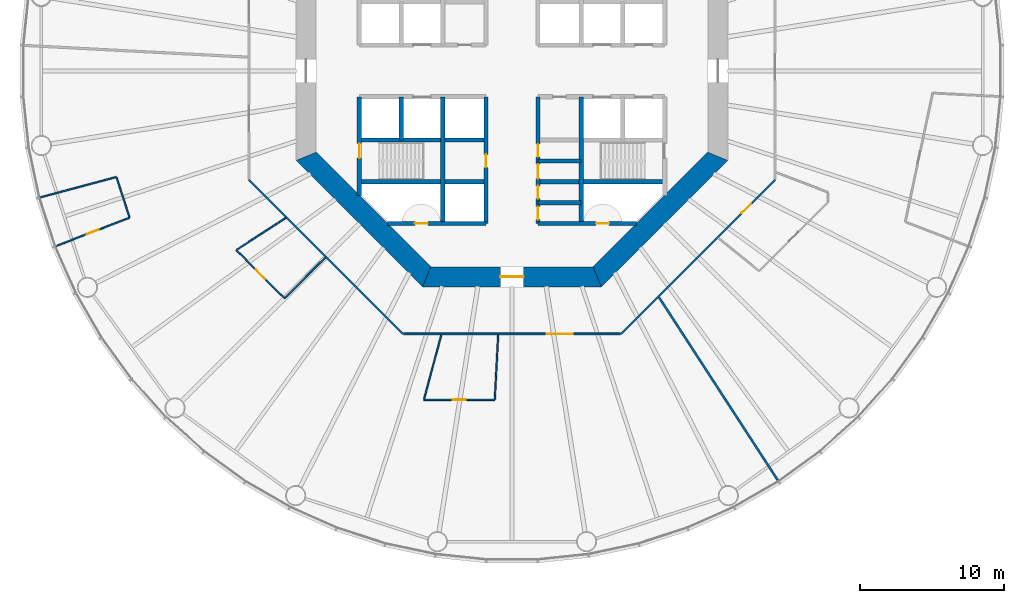
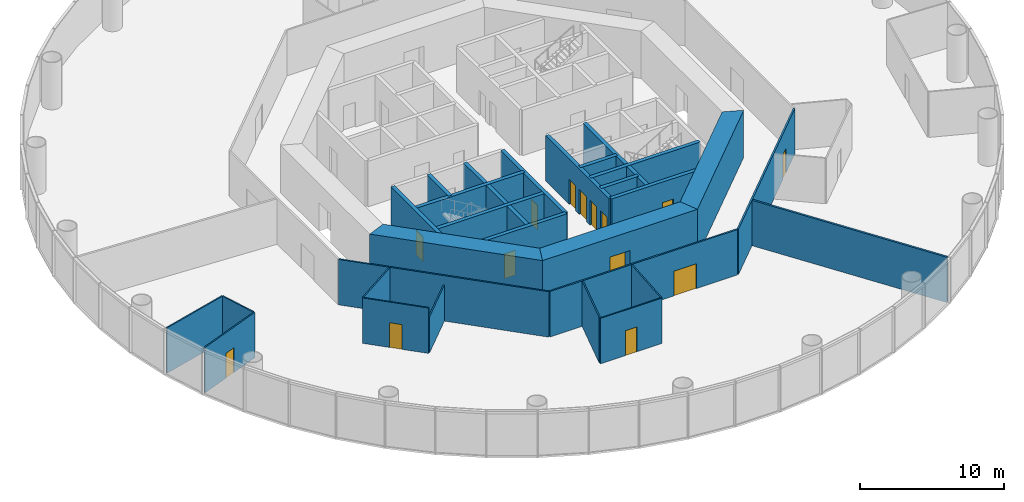
# One storey, part 3 of 13: 29 walls, 14 doors, 14 openings.
"""IFC4 building model written with IfcOpenShell, lengths in metres."""

from ifc_helpers import new_model, si_unit, direction, frame, frame_2d, origin, place, context, subcontext, project, spatial, polyline, rectangle, outline, extrude, material, layer, layer_set, type_object, element, fill, save


model = new_model("IFC4")

# Units and contexts
model_context = context("Model", 3, precision=1e-05, world=origin(), true_north=direction((0.0, 1.0)))
body_context = subcontext(model_context, "Body", "Model", "MODEL_VIEW")
ifc_project = project(units=[si_unit("LENGTHUNIT", "METRE"), si_unit("AREAUNIT", "SQUARE_METRE"), si_unit("VOLUMEUNIT", "CUBIC_METRE"), si_unit("PLANEANGLEUNIT", "RADIAN"), si_unit("MASSUNIT", "GRAM", prefix="KILO")], contexts=[model_context])

# Site, building, storey
site_placement = place(None, origin())
site = spatial("IfcSite", under=ifc_project, at=site_placement, CompositionType="ELEMENT")
building_placement = place(site_placement, origin())
building = spatial("IfcBuilding", under=site, at=building_placement, Name="Entoto Ring Tower", CompositionType="ELEMENT")
storey_placement = place(building_placement, frame((0.0, 0.0, 46.0)))
storey = spatial("IfcBuildingStorey", under=building, at=storey_placement, Name="L09", CompositionType="ELEMENT", Elevation=46.0)

# Wall
ifc_material_1 = material(Name="Concrete C40/50", Category="concrete")
ifc_layer_1 = layer(ifc_material_1, 0.300048828125)
ifc_layer_set_1 = layer_set([ifc_layer_1], Name="Concrete C40/50")
wall_type_1 = type_object("IfcWallType", Name="Core enclosure wall 300 mm reinforced concrete", PredefinedType="SOLIDWALL", material=ifc_layer_set_1)
wall_1_placement = place(storey_placement, frame((94.800048828125, 69.39990234375, 0.0), z_axis=(0.0, 0.0, 1.0), x_axis=(0.0, 1.0, 0.0)))
element("IfcWall", 1, at=wall_1_placement, inside=storey, type_object=wall_type_1, Name="wall-L09-005", PredefinedType="SOLIDWALL", context=body_context, shape_type="SweptSolid", body=[
    extrude(rectangle(XDim=8.800048828125, YDim=0.300048828125, at=frame_2d((4.39990234375, 0.0))), origin(), (0.0, 0.0, 1.0), 3.85009765625),
])

# Wall, openings, doors
wall_2_placement = place(storey_placement, frame((91.800048828125, 69.39990234375, 0.0), z_axis=(0.0, 0.0, 1.0), x_axis=(0.0, 1.0, 0.0)))
wall_2 = element("IfcWall", 2, at=wall_2_placement, inside=storey, type_object=wall_type_1, Name="wall-L09-007", PredefinedType="SOLIDWALL", context=body_context, shape_type="SweptSolid", body=[
    extrude(rectangle(XDim=8.800048828125, YDim=0.300048828125, at=frame_2d((4.39990234375, 0.0))), origin(), (0.0, 0.0, 1.0), 3.85009765625),
])
opening_1_placement = place(wall_2_placement, frame((3.125, 0.0, 0.0)))
opening_1 = element("IfcOpeningElement", 3, at=opening_1_placement, cuts=wall_2, Name="Opening K-13", PredefinedType="OPENING", context=body_context, shape_type="SweptSolid", body=[
    extrude(rectangle(XDim=1.0, YDim=2.10009765625, at=frame_2d((0.5, 1.050048828125))), frame((0.0, 0.16015625, 0.0), z_axis=(0.0, -1.0, 0.0), x_axis=(1.0, 0.0, 0.0)), (0.0, 0.0, 1.0), 0.320068359375),
])
opening_2_placement = place(wall_2_placement, frame((4.625, 0.0, 0.0)))
opening_2 = element("IfcOpeningElement", 4, at=opening_2_placement, cuts=wall_2, Name="Opening K-14", PredefinedType="OPENING", context=body_context, shape_type="SweptSolid", body=[
    extrude(rectangle(XDim=0.89990234375, YDim=2.10009765625, at=frame_2d((0.449951171875, 1.050048828125))), frame((0.0, 0.16015625, 0.0), z_axis=(0.0, -1.0, 0.0), x_axis=(1.0, 0.0, 0.0)), (0.0, 0.0, 1.0), 0.320068359375),
])
opening_3_placement = place(wall_2_placement, frame((0.27490234375, 0.0, 0.0)))
opening_3 = element("IfcOpeningElement", 5, at=opening_3_placement, cuts=wall_2, Name="Opening K-15", PredefinedType="OPENING", context=body_context, shape_type="SweptSolid", body=[
    extrude(rectangle(XDim=0.89990234375, YDim=2.10009765625, at=frame_2d((0.449951171875, 1.050048828125))), frame((0.0, 0.16015625, 0.0), z_axis=(0.0, -1.0, 0.0), x_axis=(1.0, 0.0, 0.0)), (0.0, 0.0, 1.0), 0.320068359375),
])
opening_4_placement = place(wall_2_placement, frame((1.72509765625, 0.0, 0.0)))
opening_4 = element("IfcOpeningElement", 6, at=opening_4_placement, cuts=wall_2, Name="Opening K-16", PredefinedType="OPENING", context=body_context, shape_type="SweptSolid", body=[
    extrude(rectangle(XDim=0.89990234375, YDim=2.10009765625, at=frame_2d((0.449951171875, 1.050048828125))), frame((0.0, 0.16015625, 0.0), z_axis=(0.0, -1.0, 0.0), x_axis=(1.0, 0.0, 0.0)), (0.0, 0.0, 1.0), 0.320068359375),
])
ifc_material_2 = material(Name="Steel door leaf, fire rated", Category="steel")
ifc_layer_2 = layer(ifc_material_2, 0.050048828125)
ifc_layer_set_2 = layer_set([ifc_layer_2], Name="Steel door leaf, fire rated")
door_type_1 = type_object("IfcDoorType", Name="Accessible door 1000 x 2100 single leaf", OperationType="NOTDEFINED", PredefinedType="DOOR", material=ifc_layer_set_2)
door_1_placement = place(opening_1_placement, frame((1.0, 0.0, 0.0), z_axis=(0.0, 0.0, 1.0), x_axis=(-1.0, 0.0, 0.0)))
door_1 = element("IfcDoor", 7, at=door_1_placement, inside=storey, type_object=door_type_1, Name="Door K-13", OperationType="SINGLE_SWING_LEFT", OverallHeight=2.10009765625, OverallWidth=1.0, PredefinedType="DOOR", context=body_context, shape_type="SweptSolid", body=[
    extrude(rectangle(XDim=1.0, YDim=2.10009765625, at=frame_2d((0.5, 1.050048828125))), frame((0.0, 0.02490234375, 0.0), z_axis=(0.0, -1.0, 0.0), x_axis=(1.0, 0.0, 0.0)), (0.0, 0.0, 1.0), 0.050048828125),
])
fill(opening_1, door_1)
ifc_material_3 = material(Name="Steel door leaf, fire rated", Category="steel")
ifc_layer_3 = layer(ifc_material_3, 0.050048828125)
ifc_layer_set_3 = layer_set([ifc_layer_3], Name="Steel door leaf, fire rated")
door_type_2 = type_object("IfcDoorType", Name="Core door 900 x 2100 single leaf", OperationType="NOTDEFINED", PredefinedType="DOOR", material=ifc_layer_set_3)
door_2_placement = place(opening_2_placement, frame((0.89990234375, 0.0, 0.0), z_axis=(0.0, 0.0, 1.0), x_axis=(-1.0, 0.0, 0.0)))
door_2 = element("IfcDoor", 8, at=door_2_placement, inside=storey, type_object=door_type_2, Name="Door K-14", OperationType="SINGLE_SWING_LEFT", OverallHeight=2.10009765625, OverallWidth=0.89990234375, PredefinedType="DOOR", context=body_context, shape_type="SweptSolid", body=[
    extrude(rectangle(XDim=0.89990234375, YDim=2.10009765625, at=frame_2d((0.449951171875, 1.050048828125))), frame((0.0, 0.02490234375, 0.0), z_axis=(0.0, -1.0, 0.0), x_axis=(1.0, 0.0, 0.0)), (0.0, 0.0, 1.0), 0.050048828125),
])
fill(opening_2, door_2)
door_3_placement = place(opening_3_placement, frame((0.89990234375, 0.0, 0.0), z_axis=(0.0, 0.0, 1.0), x_axis=(-1.0, 0.0, 0.0)))
door_3 = element("IfcDoor", 9, at=door_3_placement, inside=storey, type_object=door_type_2, Name="Door K-15", OperationType="SINGLE_SWING_LEFT", OverallHeight=2.10009765625, OverallWidth=0.89990234375, PredefinedType="DOOR", context=body_context, shape_type="SweptSolid", body=[
    extrude(rectangle(XDim=0.89990234375, YDim=2.10009765625, at=frame_2d((0.449951171875, 1.050048828125))), frame((0.0, 0.02490234375, 0.0), z_axis=(0.0, -1.0, 0.0), x_axis=(1.0, 0.0, 0.0)), (0.0, 0.0, 1.0), 0.050048828125),
])
fill(opening_3, door_3)
door_4_placement = place(opening_4_placement, frame((0.89990234375, 0.0, 0.0), z_axis=(0.0, 0.0, 1.0), x_axis=(-1.0, 0.0, 0.0)))
door_4 = element("IfcDoor", 10, at=door_4_placement, inside=storey, type_object=door_type_2, Name="Door K-16", OperationType="SINGLE_SWING_LEFT", OverallHeight=2.10009765625, OverallWidth=0.89990234375, PredefinedType="DOOR", context=body_context, shape_type="SweptSolid", body=[
    extrude(rectangle(XDim=0.89990234375, YDim=2.10009765625, at=frame_2d((0.449951171875, 1.050048828125))), frame((0.0, 0.02490234375, 0.0), z_axis=(0.0, -1.0, 0.0), x_axis=(1.0, 0.0, 0.0)), (0.0, 0.0, 1.0), 0.050048828125),
])
fill(opening_4, door_4)

# Wall, opening, door
wall_3_placement = place(storey_placement, frame((88.199951171875, 69.39990234375, 0.0), z_axis=(0.0, 0.0, 1.0), x_axis=(0.0, 1.0, 0.0)))
wall_3 = element("IfcWall", 11, at=wall_3_placement, inside=storey, type_object=wall_type_1, Name="wall-L09-009", PredefinedType="SOLIDWALL", context=body_context, shape_type="SweptSolid", body=[
    extrude(rectangle(XDim=8.800048828125, YDim=0.300048828125, at=frame_2d((4.39990234375, 0.0))), origin(), (0.0, 0.0, 1.0), 3.85009765625),
])
opening_5_placement = place(wall_3_placement, frame((3.89990234375, 0.0, 0.0)))
opening_5 = element("IfcOpeningElement", 12, at=opening_5_placement, cuts=wall_3, Name="Opening K-57", PredefinedType="OPENING", context=body_context, shape_type="SweptSolid", body=[
    extrude(rectangle(XDim=0.89990234375, YDim=2.10009765625, at=frame_2d((0.449951171875, 1.050048828125))), frame((0.0, 0.16015625, 0.0), z_axis=(0.0, -1.0, 0.0), x_axis=(1.0, 0.0, 0.0)), (0.0, 0.0, 1.0), 0.320068359375),
])
door_5_placement = place(opening_5_placement, origin())
door_5 = element("IfcDoor", 13, at=door_5_placement, inside=storey, type_object=door_type_2, Name="Door K-57", OperationType="SINGLE_SWING_RIGHT", OverallHeight=2.10009765625, OverallWidth=0.89990234375, PredefinedType="DOOR", context=body_context, shape_type="SweptSolid", body=[
    extrude(rectangle(XDim=0.89990234375, YDim=2.10009765625, at=frame_2d((0.449951171875, 1.050048828125))), frame((0.0, 0.02490234375, 0.0), z_axis=(0.0, -1.0, 0.0), x_axis=(1.0, 0.0, 0.0)), (0.0, 0.0, 1.0), 0.050048828125),
])
fill(opening_5, door_5)

# Walls
wall_4_placement = place(storey_placement, frame((85.199951171875, 69.39990234375, 0.0), z_axis=(0.0, 0.0, 1.0), x_axis=(0.0, 1.0, 0.0)))
element("IfcWall", 14, at=wall_4_placement, inside=storey, type_object=wall_type_1, Name="wall-L09-011", PredefinedType="SOLIDWALL", context=body_context, shape_type="SweptSolid", body=[
    extrude(rectangle(XDim=8.800048828125, YDim=0.300048828125, at=frame_2d((4.39990234375, 0.0))), origin(), (0.0, 0.0, 1.0), 3.85009765625),
])
wall_5_placement = place(storey_placement, frame((82.300048828125, 75.199951171875, 0.0), z_axis=(0.0, 0.0, 1.0), x_axis=(0.0, 1.0, 0.0)))
element("IfcWall", 15, at=wall_5_placement, inside=storey, type_object=wall_type_1, Name="wall-L09-013", PredefinedType="SOLIDWALL", context=body_context, shape_type="SweptSolid", body=[
    extrude(rectangle(XDim=3.0, YDim=0.300048828125, at=frame_2d((1.5, 0.0))), origin(), (0.0, 0.0, 1.0), 3.85009765625),
])

# Wall, opening, door
wall_6_placement = place(storey_placement, frame((79.39990234375, 71.36669921875, 0.0), z_axis=(0.0, 0.0, 1.0), x_axis=(0.0, 1.0, 0.0)))
wall_6 = element("IfcWall", 16, at=wall_6_placement, inside=storey, type_object=wall_type_1, Name="wall-L09-015", PredefinedType="SOLIDWALL", context=body_context, shape_type="SweptSolid", body=[
    extrude(rectangle(XDim=6.833251953125, YDim=0.300048828125, at=frame_2d((3.41650390625, 0.0))), origin(), (0.0, 0.0, 1.0), 3.85009765625),
])
opening_6_placement = place(wall_6_placement, frame((2.583251953125, 0.0, 0.0)))
opening_6 = element("IfcOpeningElement", 17, at=opening_6_placement, cuts=wall_6, Name="Opening K-67", PredefinedType="OPENING", context=body_context, shape_type="SweptSolid", body=[
    extrude(rectangle(XDim=1.0, YDim=2.10009765625, at=frame_2d((0.5, 1.050048828125))), frame((0.0, 0.16015625, 0.0), z_axis=(0.0, -1.0, 0.0), x_axis=(1.0, 0.0, 0.0)), (0.0, 0.0, 1.0), 0.320068359375),
])
ifc_material_4 = material(Name="Steel door leaf, fire rated", Category="steel")
ifc_layer_4 = layer(ifc_material_4, 0.050048828125)
ifc_layer_set_4 = layer_set([ifc_layer_4], Name="Steel door leaf, fire rated")
door_type_3 = type_object("IfcDoorType", Name="Fire door FD60 1000 x 2100 single leaf", OperationType="NOTDEFINED", PredefinedType="DOOR", material=ifc_layer_set_4)
door_6_placement = place(opening_6_placement, frame((1.0, 0.0, 0.0), z_axis=(0.0, 0.0, 1.0), x_axis=(-1.0, 0.0, 0.0)))
door_6 = element("IfcDoor", 18, at=door_6_placement, inside=storey, type_object=door_type_3, Name="Door K-67", OperationType="SINGLE_SWING_LEFT", OverallHeight=2.10009765625, OverallWidth=1.0, PredefinedType="DOOR", context=body_context, shape_type="SweptSolid", body=[
    extrude(rectangle(XDim=1.0, YDim=2.10009765625, at=frame_2d((0.5, 1.050048828125))), frame((0.0, 0.02490234375, 0.0), z_axis=(0.0, -1.0, 0.0), x_axis=(1.0, 0.0, 0.0)), (0.0, 0.0, 1.0), 0.050048828125),
])
fill(opening_6, door_6)

wall_7_placement = place(storey_placement, frame((81.36669921875, 69.39990234375, 0.0), z_axis=(0.0, 0.0, 1.0), x_axis=(1.0, 0.0, 0.0)))
wall_7 = element("IfcWall", 19, at=wall_7_placement, inside=storey, type_object=wall_type_1, Name="wall-L09-017", PredefinedType="SOLIDWALL", context=body_context, shape_type="SweptSolid", body=[
    extrude(rectangle(XDim=6.833251953125, YDim=0.300048828125, at=frame_2d((3.41650390625, 0.0))), origin(), (0.0, 0.0, 1.0), 3.85009765625),
])
opening_7_placement = place(wall_7_placement, frame((1.88330078125, 0.0, 0.0)))
opening_7 = element("IfcOpeningElement", 20, at=opening_7_placement, cuts=wall_7, Name="Opening K-74", PredefinedType="OPENING", context=body_context, shape_type="SweptSolid", body=[
    extrude(rectangle(XDim=0.89990234375, YDim=2.10009765625, at=frame_2d((0.449951171875, 1.050048828125))), frame((0.0, 0.16015625, 0.0), z_axis=(0.0, -1.0, 0.0), x_axis=(1.0, 0.0, 0.0)), (0.0, 0.0, 1.0), 0.320068359375),
])
ifc_material_5 = material(Name="Steel door leaf, fire rated", Category="steel")
ifc_layer_5 = layer(ifc_material_5, 0.050048828125)
ifc_layer_set_5 = layer_set([ifc_layer_5], Name="Steel door leaf, fire rated")
door_type_4 = type_object("IfcDoorType", Name="Riser door FD60 900 x 2100 single leaf", OperationType="NOTDEFINED", PredefinedType="DOOR", material=ifc_layer_set_5)
door_7_placement = place(opening_7_placement, origin())
door_7 = element("IfcDoor", 21, at=door_7_placement, inside=storey, type_object=door_type_4, Name="Door K-74", OperationType="SINGLE_SWING_RIGHT", OverallHeight=2.10009765625, OverallWidth=0.89990234375, PredefinedType="DOOR", context=body_context, shape_type="SweptSolid", body=[
    extrude(rectangle(XDim=0.89990234375, YDim=2.10009765625, at=frame_2d((0.449951171875, 1.050048828125))), frame((0.0, 0.02490234375, 0.0), z_axis=(0.0, -1.0, 0.0), x_axis=(1.0, 0.0, 0.0)), (0.0, 0.0, 1.0), 0.050048828125),
])
fill(opening_7, door_7)

wall_8_placement = place(storey_placement, frame((91.800048828125, 69.39990234375, 0.0), z_axis=(0.0, 0.0, 1.0), x_axis=(1.0, 0.0, 0.0)))
wall_8 = element("IfcWall", 22, at=wall_8_placement, inside=storey, type_object=wall_type_1, Name="wall-L09-018", PredefinedType="SOLIDWALL", context=body_context, shape_type="SweptSolid", body=[
    extrude(rectangle(XDim=6.833251953125, YDim=0.300048828125, at=frame_2d((3.41650390625, 0.0))), origin(), (0.0, 0.0, 1.0), 3.85009765625),
])
opening_8_placement = place(wall_8_placement, frame((4.050048828125, 0.0, 0.0)))
opening_8 = element("IfcOpeningElement", 23, at=opening_8_placement, cuts=wall_8, Name="Opening K-75", PredefinedType="OPENING", context=body_context, shape_type="SweptSolid", body=[
    extrude(rectangle(XDim=0.89990234375, YDim=2.10009765625, at=frame_2d((0.449951171875, 1.050048828125))), frame((0.0, 0.16015625, 0.0), z_axis=(0.0, -1.0, 0.0), x_axis=(1.0, 0.0, 0.0)), (0.0, 0.0, 1.0), 0.320068359375),
])
door_8_placement = place(opening_8_placement, origin())
door_8 = element("IfcDoor", 24, at=door_8_placement, inside=storey, type_object=door_type_4, Name="Door K-75", OperationType="SINGLE_SWING_LEFT", OverallHeight=2.10009765625, OverallWidth=0.89990234375, PredefinedType="DOOR", context=body_context, shape_type="SweptSolid", body=[
    extrude(rectangle(XDim=0.89990234375, YDim=2.10009765625, at=frame_2d((0.449951171875, 1.050048828125))), frame((0.0, 0.02490234375, 0.0), z_axis=(0.0, -1.0, 0.0), x_axis=(1.0, 0.0, 0.0)), (0.0, 0.0, 1.0), 0.050048828125),
])
fill(opening_8, door_8)

# Walls
wall_9_placement = place(storey_placement, frame((91.800048828125, 70.85009765625, 0.0), z_axis=(0.0, 0.0, 1.0), x_axis=(1.0, 0.0, 0.0)))
element("IfcWall", 25, at=wall_9_placement, inside=storey, type_object=wall_type_1, Name="wall-L09-019", PredefinedType="SOLIDWALL", context=body_context, shape_type="SweptSolid", body=[
    extrude(rectangle(XDim=3.0, YDim=0.300048828125, at=frame_2d((1.5, 0.0))), origin(), (0.0, 0.0, 1.0), 3.85009765625),
])
for number, where, z_axis, x_axis, name in (
    (26, (79.39990234375, 72.300048828125, 0.0), (0.0, 0.0, 1.0), (1.0, 0.0, 0.0), "wall-L09-020"),
    (27, (91.800048828125, 72.300048828125, 0.0), (0.0, 0.0, 1.0), (1.0, 0.0, 0.0), "wall-L09-021"),
):
    element("IfcWall", number, at=place(storey_placement, frame(where, z_axis=z_axis, x_axis=x_axis)), inside=storey, type_object=wall_type_1, Name=name, PredefinedType="SOLIDWALL", context=body_context, shape_type="SweptSolid", body=[
        extrude(rectangle(XDim=8.800048828125, YDim=0.300048828125, at=frame_2d((4.39990234375, 0.0))), origin(), (0.0, 0.0, 1.0), 3.85009765625),
    ])
wall_10_placement = place(storey_placement, frame((91.800048828125, 73.75, 0.0), z_axis=(0.0, 0.0, 1.0), x_axis=(1.0, 0.0, 0.0)))
element("IfcWall", 28, at=wall_10_placement, inside=storey, type_object=wall_type_1, Name="wall-L09-022", PredefinedType="SOLIDWALL", context=body_context, shape_type="SweptSolid", body=[
    extrude(rectangle(XDim=3.0, YDim=0.300048828125, at=frame_2d((1.5, 0.0))), origin(), (0.0, 0.0, 1.0), 3.85009765625),
])
wall_11_placement = place(storey_placement, frame((79.39990234375, 75.199951171875, 0.0), z_axis=(0.0, 0.0, 1.0), x_axis=(1.0, 0.0, 0.0)))
element("IfcWall", 29, at=wall_11_placement, inside=storey, type_object=wall_type_1, Name="wall-L09-023", PredefinedType="SOLIDWALL", context=body_context, shape_type="SweptSolid", body=[
    extrude(rectangle(XDim=8.800048828125, YDim=0.300048828125, at=frame_2d((4.39990234375, 0.0))), origin(), (0.0, 0.0, 1.0), 3.85009765625),
])
ifc_material_6 = material(Name="Concrete C60/75", Category="concrete")
ifc_layer_6 = layer(ifc_material_6, 1.39990234375)
ifc_layer_set_6 = layer_set([ifc_layer_6], Name="Concrete C60/75")
wall_type_2 = type_object("IfcWallType", Name="Core shear wall 1400 mm reinforced concrete C60/75", PredefinedType="SHEAR", material=ifc_layer_set_6)
wall_12_placement = place(storey_placement, frame((75.699951171875, 74.07666015625, 0.0), z_axis=(0.0, 0.0, 1.0), x_axis=(0.707106781187, -0.707106781187, 0.0)))
element("IfcWall", 30, at=wall_12_placement, inside=storey, type_object=wall_type_2, Name="wall-L09-core-5", PredefinedType="SHEAR", context=body_context, shape_type="SweptSolid", body=[
    extrude(outline(polyline([(-0.2900390625, -0.699951171875), (12.136474609375, -0.699951171875), (11.556396484375, 0.699951171875), (0.2900390625, 0.699951171875), (-0.2900390625, -0.699951171875)])), origin(), (0.0, 0.0, 1.0), 4.0),
])

# Wall, opening, door
wall_13_placement = place(storey_placement, frame((84.07666015625, 65.699951171875, 0.0), z_axis=(0.0, 0.0, 1.0), x_axis=(1.0, 0.0, 0.0)))
wall_13 = element("IfcWall", 31, at=wall_13_placement, inside=storey, type_object=wall_type_2, Name="wall-L09-core-6", PredefinedType="SHEAR", context=body_context, shape_type="SweptSolid", body=[
    extrude(outline(polyline([(-0.2900390625, -0.699951171875), (12.13671875, -0.699951171875), (11.556640625, 0.699951171875), (0.2900390625, 0.699951171875), (-0.2900390625, -0.699951171875)])), origin(), (0.0, 0.0, 1.0), 4.0),
])
opening_9_placement = place(wall_13_placement, frame((5.123291015625, 0.0, 0.0)))
opening_9 = element("IfcOpeningElement", 32, at=opening_9_placement, cuts=wall_13, Name="Opening K-04", PredefinedType="OPENING", context=body_context, shape_type="SweptSolid", body=[
    extrude(rectangle(XDim=1.60009765625, YDim=2.39990234375, at=frame_2d((0.800048828125, 1.199951171875))), frame((0.0, 0.7099609375, 0.0), z_axis=(0.0, -1.0, 0.0), x_axis=(1.0, 0.0, 0.0)), (0.0, 0.0, 1.0), 1.419921875),
])
ifc_material_7 = material(Name="Steel door leaf, fire rated", Category="steel")
ifc_layer_7 = layer(ifc_material_7, 0.050048828125)
ifc_layer_set_7 = layer_set([ifc_layer_7], Name="Steel door leaf, fire rated")
door_type_5 = type_object("IfcDoorType", Name="Entrance door FD60 1600 x 2400 double leaf", OperationType="DOUBLE_DOOR_SINGLE_SWING", PredefinedType="DOOR", material=ifc_layer_set_7)
door_9_placement = place(opening_9_placement, origin())
door_9 = element("IfcDoor", 33, at=door_9_placement, inside=storey, type_object=door_type_5, Name="Entrance door K-04", OperationType="DOUBLE_DOOR_SINGLE_SWING", OverallHeight=2.39990234375, OverallWidth=1.60009765625, PredefinedType="DOOR", context=body_context, shape_type="SweptSolid", body=[
    extrude(rectangle(XDim=1.60009765625, YDim=2.39990234375, at=frame_2d((0.800048828125, 1.199951171875))), frame((0.0, 0.02490234375, 0.0), z_axis=(0.0, -1.0, 0.0), x_axis=(1.0, 0.0, 0.0)), (0.0, 0.0, 1.0), 0.050048828125),
])
fill(opening_9, door_9)

# Walls
wall_14_placement = place(storey_placement, frame((95.92333984375, 65.699951171875, 0.0), z_axis=(0.0, 0.0, 1.0), x_axis=(0.707106781187, 0.707106781187, 0.0)))
element("IfcWall", 34, at=wall_14_placement, inside=storey, type_object=wall_type_2, Name="wall-L09-core-7", PredefinedType="SHEAR", context=body_context, shape_type="SweptSolid", body=[
    extrude(outline(polyline([(-0.2900390625, -0.699951171875), (12.136474609375, -0.699951171875), (11.556396484375, 0.699951171875), (0.2900390625, 0.699951171875), (-0.2900390625, -0.699951171875)])), origin(), (0.0, 0.0, 1.0), 4.0),
])
ifc_material_8 = material(Name="Fire-resisting plasterboard on steel studs", Category="steel")
ifc_layer_8 = layer(ifc_material_8, 0.125)
ifc_layer_set_8 = layer_set([ifc_layer_8], Name="Fire-resisting plasterboard on steel studs")
wall_type_3 = type_object("IfcWallType", Name="Corridor wall 125 mm one-hour plasterboard on steel studs", PredefinedType="PARTITIONING", material=ifc_layer_set_8)
wall_15_placement = place(storey_placement, frame((82.435302734375, 61.737548828125, 0.0), z_axis=(0.0, 0.0, 1.0), x_axis=(-0.707106781187, 0.707106781187, 0.0)))
element("IfcWall", 35, at=wall_15_placement, inside=storey, type_object=wall_type_3, Name="partition-L09-002", PredefinedType="PARTITIONING", context=body_context, shape_type="SweptSolid", body=[
    extrude(rectangle(XDim=15.12890625, YDim=0.125, at=frame_2d((7.564453125, 0.0))), origin(), (0.0, 0.0, 1.0), 3.85009765625),
])

# Wall, opening, door
wall_16_placement = place(storey_placement, frame((97.564697265625, 61.737548828125, 0.0), z_axis=(0.0, 0.0, 1.0), x_axis=(0.707106781187, 0.707106781187, 0.0)))
wall_16 = element("IfcWall", 36, at=wall_16_placement, inside=storey, type_object=wall_type_3, Name="partition-L09-003", PredefinedType="PARTITIONING", context=body_context, shape_type="SweptSolid", body=[
    extrude(rectangle(XDim=15.12890625, YDim=0.125, at=frame_2d((7.564453125, 0.0))), origin(), (0.0, 0.0, 1.0), 3.85009765625),
])
opening_10_placement = place(wall_16_placement, frame((11.8564453125, 0.0, 0.0)))
opening_10 = element("IfcOpeningElement", 37, at=opening_10_placement, cuts=wall_16, Name="Opening A04-D09", PredefinedType="OPENING", context=body_context, shape_type="SweptSolid", body=[
    extrude(rectangle(XDim=0.89990234375, YDim=2.10009765625, at=frame_2d((0.449951171875, 1.050048828125))), frame((0.0, 0.072509765625, 0.0), z_axis=(0.0, -1.0, 0.0), x_axis=(1.0, 0.0, 0.0)), (0.0, 0.0, 1.0), 0.14501953125),
])
ifc_material_9 = material(Name="Fire-resisting timber door set", Category="wood")
door_type_6 = type_object("IfcDoorType", Name="Door 1000 x 2100 single leaf FD30S fire door", OperationType="NOTDEFINED", PredefinedType="DOOR", material=ifc_material_9)
door_10_placement = place(opening_10_placement, frame((0.89990234375, 0.0, 0.0), z_axis=(0.0, 0.0, 1.0), x_axis=(-1.0, 0.0, 0.0)))
door_10 = element("IfcDoor", 38, at=door_10_placement, inside=storey, type_object=door_type_6, Name="Door A04-D09", OperationType="SINGLE_SWING_RIGHT", OverallHeight=2.10009765625, OverallWidth=0.89990234375, PredefinedType="DOOR", context=body_context, shape_type="SweptSolid", body=[
    extrude(rectangle(XDim=0.89990234375, YDim=2.10009765625, at=frame_2d((0.449951171875, 1.050048828125))), frame((0.0, 0.02490234375, 0.0), z_axis=(0.0, -1.0, 0.0), x_axis=(1.0, 0.0, 0.0)), (0.0, 0.0, 1.0), 0.050048828125),
])
fill(opening_10, door_10)

wall_17_placement = place(storey_placement, frame((82.4794921875, 61.737548828125, 0.0), z_axis=(0.0, 0.0, 1.0), x_axis=(1.0, 0.0, 0.0)))
wall_17 = element("IfcWall", 39, at=wall_17_placement, inside=storey, type_object=wall_type_3, Name="partition-L09-006", PredefinedType="PARTITIONING", context=body_context, shape_type="SweptSolid", body=[
    extrude(rectangle(XDim=15.041015625, YDim=0.125, at=frame_2d((7.5205078125, 0.0))), origin(), (0.0, 0.0, 1.0), 3.85009765625),
])
opening_11_placement = place(wall_17_placement, frame((9.92431640625, 0.0, 0.0)))
opening_11 = element("IfcOpeningElement", 40, at=opening_11_placement, cuts=wall_17, Name="Opening A04-D01", PredefinedType="OPENING", context=body_context, shape_type="SweptSolid", body=[
    extrude(rectangle(XDim=1.800048828125, YDim=2.10009765625, at=frame_2d((0.89990234375, 1.050048828125))), frame((0.0, 0.072509765625, 0.0), z_axis=(0.0, -1.0, 0.0), x_axis=(1.0, 0.0, 0.0)), (0.0, 0.0, 1.0), 0.14501953125),
])
ifc_material_10 = material(Name="Fire-resisting timber door set", Category="wood")
door_type_7 = type_object("IfcDoorType", Name="Door 1800 x 2100 double leaf FD30S fire door", OperationType="DOUBLE_DOOR_SINGLE_SWING", PredefinedType="DOOR", material=ifc_material_10)
door_11_placement = place(opening_11_placement, origin())
door_11 = element("IfcDoor", 41, at=door_11_placement, inside=storey, type_object=door_type_7, Name="Door A04-D01", OperationType="DOUBLE_DOOR_SINGLE_SWING", OverallHeight=2.10009765625, OverallWidth=1.800048828125, PredefinedType="DOOR", context=body_context, shape_type="SweptSolid", body=[
    extrude(rectangle(XDim=1.800048828125, YDim=2.10009765625, at=frame_2d((0.89990234375, 1.050048828125))), frame((0.0, 0.02490234375, 0.0), z_axis=(0.0, -1.0, 0.0), x_axis=(1.0, 0.0, 0.0)), (0.0, 0.0, 1.0), 0.050048828125),
])
fill(opening_11, door_11)

ifc_material_11 = material(Name="Plasterboard on steel studs", Category="steel")
ifc_layer_9 = layer(ifc_material_11, 0.10009765625)
ifc_layer_set_9 = layer_set([ifc_layer_9], Name="Plasterboard on steel studs")
wall_type_4 = type_object("IfcWallType", Name="Partition 100 mm plasterboard on steel studs", PredefinedType="PARTITIONING", material=ifc_layer_set_9)
wall_18_placement = place(storey_placement, frame((58.314208984375, 67.8369140625, 0.0), z_axis=(0.0, 0.0, 1.0), x_axis=(0.933578069125, 0.358374090649, 0.0)))
wall_18 = element("IfcWall", 42, at=wall_18_placement, inside=storey, type_object=wall_type_4, Name="partition-L09-014", PredefinedType="PARTITIONING", context=body_context, shape_type="SweptSolid", body=[
    extrude(rectangle(XDim=5.490234375, YDim=0.10009765625, at=frame_2d((2.7451171875, 0.0))), origin(), (0.0, 0.0, 1.0), 3.85009765625),
])
opening_12_placement = place(wall_18_placement, frame((2.294921875, 0.0, 0.0)))
opening_12 = element("IfcOpeningElement", 43, at=opening_12_placement, cuts=wall_18, Name="Opening A04-D05", PredefinedType="OPENING", context=body_context, shape_type="SweptSolid", body=[
    extrude(rectangle(XDim=0.89990234375, YDim=2.10009765625, at=frame_2d((0.449951171875, 1.050048828125))), frame((0.0, 0.06005859375, 0.0), z_axis=(0.0, -1.0, 0.0), x_axis=(1.0, 0.0, 0.0)), (0.0, 0.0, 1.0), 0.1201171875),
])
ifc_material_12 = material(Name="Veneered timber door leaf in timber frame", Category="wood")
door_type_8 = type_object("IfcDoorType", Name="Door 900 x 2100 single leaf timber veneer", OperationType="NOTDEFINED", PredefinedType="DOOR", material=ifc_material_12)
door_12_placement = place(opening_12_placement, origin())
door_12 = element("IfcDoor", 44, at=door_12_placement, inside=storey, type_object=door_type_8, Name="Door A04-D05", OperationType="SINGLE_SWING_LEFT", OverallHeight=2.10009765625, OverallWidth=0.89990234375, PredefinedType="DOOR", context=body_context, shape_type="SweptSolid", body=[
    extrude(rectangle(XDim=0.89990234375, YDim=2.10009765625, at=frame_2d((0.449951171875, 1.050048828125))), frame((0.0, 0.02490234375, 0.0), z_axis=(0.0, -1.0, 0.0), x_axis=(1.0, 0.0, 0.0)), (0.0, 0.0, 1.0), 0.050048828125),
])
fill(opening_12, door_12)

# Wall
wall_19_placement = place(storey_placement, frame((57.216552734375, 71.2158203125, 0.0), z_axis=(0.0, 0.0, 1.0), x_axis=(0.965924230401, 0.258825000964, 0.0)))
element("IfcWall", 45, at=wall_19_placement, inside=storey, type_object=wall_type_4, Name="partition-L09-015", PredefinedType="PARTITIONING", context=body_context, shape_type="SweptSolid", body=[
    extrude(rectangle(XDim=5.48974609375, YDim=0.10009765625, at=frame_2d((2.744873046875, 0.0))), origin(), (0.0, 0.0, 1.0), 3.85009765625),
])

# Wall, opening, door
wall_20_placement = place(storey_placement, frame((83.87939453125, 57.157470703125, 0.0), z_axis=(0.0, 0.0, 1.0), x_axis=(1.0, 0.0, 0.0)))
wall_20 = element("IfcWall", 46, at=wall_20_placement, inside=storey, type_object=wall_type_4, Name="partition-L09-016", PredefinedType="PARTITIONING", context=body_context, shape_type="SweptSolid", body=[
    extrude(rectangle(XDim=4.923583984375, YDim=0.10009765625, at=frame_2d((2.4619140625, 0.0))), origin(), (0.0, 0.0, 1.0), 3.85009765625),
])
opening_13_placement = place(wall_20_placement, frame((2.01171875, 0.0, 0.0)))
opening_13 = element("IfcOpeningElement", 47, at=opening_13_placement, cuts=wall_20, Name="Opening A04-D04", PredefinedType="OPENING", context=body_context, shape_type="SweptSolid", body=[
    extrude(rectangle(XDim=0.89990234375, YDim=2.10009765625, at=frame_2d((0.449951171875, 1.050048828125))), frame((0.0, 0.06005859375, 0.0), z_axis=(0.0, -1.0, 0.0), x_axis=(1.0, 0.0, 0.0)), (0.0, 0.0, 1.0), 0.1201171875),
])
door_13_placement = place(opening_13_placement, origin())
door_13 = element("IfcDoor", 48, at=door_13_placement, inside=storey, type_object=door_type_8, Name="Door A04-D04", OperationType="SINGLE_SWING_LEFT", OverallHeight=2.10009765625, OverallWidth=0.89990234375, PredefinedType="DOOR", context=body_context, shape_type="SweptSolid", body=[
    extrude(rectangle(XDim=0.89990234375, YDim=2.10009765625, at=frame_2d((0.449951171875, 1.050048828125))), frame((0.0, 0.02490234375, 0.0), z_axis=(0.0, -1.0, 0.0), x_axis=(1.0, 0.0, 0.0)), (0.0, 0.0, 1.0), 0.050048828125),
])
fill(opening_13, door_13)

wall_21_placement = place(storey_placement, frame((74.201416015625, 64.201416015625, 0.0), z_axis=(0.0, 0.0, 1.0), x_axis=(-0.707081076158, 0.707132485281, 0.0)))
wall_21 = element("IfcWall", 49, at=wall_21_placement, inside=storey, type_object=wall_type_4, Name="partition-L09-018", PredefinedType="PARTITIONING", context=body_context, shape_type="SweptSolid", body=[
    extrude(rectangle(XDim=4.7490234375, YDim=0.10009765625, at=frame_2d((2.37451171875, 0.0))), origin(), (0.0, 0.0, 1.0), 3.85009765625),
])
opening_14_placement = place(wall_21_placement, frame((1.924560546875, 0.0, 0.0)))
opening_14 = element("IfcOpeningElement", 50, at=opening_14_placement, cuts=wall_21, Name="Opening A04-D03", PredefinedType="OPENING", context=body_context, shape_type="SweptSolid", body=[
    extrude(rectangle(XDim=0.89990234375, YDim=2.10009765625, at=frame_2d((0.449951171875, 1.050048828125))), frame((0.0, 0.06005859375, 0.0), z_axis=(0.0, -1.0, 0.0), x_axis=(1.0, 0.0, 0.0)), (0.0, 0.0, 1.0), 0.1201171875),
])
door_14_placement = place(opening_14_placement, frame((0.89990234375, 0.0, 0.0), z_axis=(0.0, 0.0, 1.0), x_axis=(-1.0, 0.0, 0.0)))
door_14 = element("IfcDoor", 51, at=door_14_placement, inside=storey, type_object=door_type_8, Name="Door A04-D03", OperationType="SINGLE_SWING_LEFT", OverallHeight=2.10009765625, OverallWidth=0.89990234375, PredefinedType="DOOR", context=body_context, shape_type="SweptSolid", body=[
    extrude(rectangle(XDim=0.89990234375, YDim=2.10009765625, at=frame_2d((0.449951171875, 1.050048828125))), frame((0.0, 0.02490234375, 0.0), z_axis=(0.0, -1.0, 0.0), x_axis=(1.0, 0.0, 0.0)), (0.0, 0.0, 1.0), 0.050048828125),
])
fill(opening_14, door_14)

# Walls
wall_22_placement = place(storey_placement, frame((83.896240234375, 57.22021484375, 0.0), z_axis=(0.0, 0.0, 1.0), x_axis=(0.25881569625, 0.965926723605, 0.0)))
element("IfcWall", 52, at=wall_22_placement, inside=storey, type_object=wall_type_4, Name="partition-L09-019", PredefinedType="PARTITIONING", context=body_context, shape_type="SweptSolid", body=[
    extrude(rectangle(XDim=4.5986328125, YDim=0.10009765625, at=frame_2d((2.29931640625, 0.0))), origin(), (0.0, 0.0, 1.0), 3.85009765625),
])
wall_23_placement = place(storey_placement, frame((88.805419921875, 57.20751953125, 0.0), z_axis=(0.0, 0.0, 1.0), x_axis=(0.05236680735, 0.998627917439, 0.0)))
element("IfcWall", 53, at=wall_23_placement, inside=storey, type_object=wall_type_4, Name="partition-L09-024", PredefinedType="PARTITIONING", context=body_context, shape_type="SweptSolid", body=[
    extrude(rectangle(XDim=4.470947265625, YDim=0.10009765625, at=frame_2d((2.2353515625, 0.0))), origin(), (0.0, 0.0, 1.0), 3.85009765625),
])
wall_24_placement = place(storey_placement, frame((70.89501953125, 67.593017578125, 0.0), z_axis=(0.0, 0.0, 1.0), x_axis=(0.838673001431, 0.544635287757, 0.0)))
element("IfcWall", 54, at=wall_24_placement, inside=storey, type_object=wall_type_4, Name="partition-L09-027", PredefinedType="PARTITIONING", context=body_context, shape_type="SweptSolid", body=[
    extrude(rectangle(XDim=4.03515625, YDim=0.10009765625, at=frame_2d((2.017578125, 0.0))), origin(), (0.0, 0.0, 1.0), 3.85009765625),
])
wall_25_placement = place(storey_placement, frame((63.42431640625, 69.851806640625, 0.0), z_axis=(0.0, 0.0, 1.0), x_axis=(-0.309017022444, 0.951056507175, 0.0)))
element("IfcWall", 55, at=wall_25_placement, inside=storey, type_object=wall_type_4, Name="partition-L09-032", PredefinedType="PARTITIONING", context=body_context, shape_type="SweptSolid", body=[
    extrude(rectangle(XDim=2.878173828125, YDim=0.10009765625, at=frame_2d((1.43896484375, 0.0))), origin(), (0.0, 0.0, 1.0), 3.85009765625),
])
ifc_material_13 = material(Name="Plasterboard on steel studs", Category="steel")
ifc_layer_10 = layer(ifc_material_13, 0.10009765625)
ifc_layer_set_10 = layer_set([ifc_layer_10], Name="Plasterboard on steel studs")
wall_type_5 = type_object("IfcWallType", Name="Partition 100 mm plasterboard on steel studs, 3050 mm high", PredefinedType="PARTITIONING", material=ifc_layer_set_10)
wall_26_placement = place(storey_placement, frame((74.23681640625, 64.23681640625, 0.0), z_axis=(0.0, 0.0, 1.0), x_axis=(0.707106781187, 0.707106781187, 0.0)))
element("IfcWall", 56, at=wall_26_placement, inside=storey, type_object=wall_type_5, Name="partition-L09-028", PredefinedType="PARTITIONING", context=body_context, shape_type="SweptSolid", body=[
    extrude(rectangle(XDim=3.967529296875, YDim=0.10009765625, at=frame_2d((1.98388671875, 0.0))), origin(), (0.0, 0.0, 1.0), 3.050048828125),
])
ifc_material_14 = material(Name="Fire-resisting acoustic plasterboard on steel studs", Category="steel")
ifc_layer_11 = layer(ifc_material_14, 0.14990234375)
ifc_layer_set_11 = layer_set([ifc_layer_11], Name="Fire-resisting acoustic plasterboard on steel studs")
wall_type_6 = type_object("IfcWallType", Name="Party wall 150 mm one-hour acoustic plasterboard on steel studs", PredefinedType="PARTITIONING", material=ifc_layer_set_11)
wall_27_placement = place(storey_placement, frame((108.485107421875, 51.535400390625, 0.0), z_axis=(0.0, 0.0, 1.0), x_axis=(-0.544638037766, 0.838671215565, 0.0)))
element("IfcWall", 57, at=wall_27_placement, inside=storey, type_object=wall_type_6, Name="partition-L09-011", PredefinedType="PARTITIONING", context=body_context, shape_type="SweptSolid", body=[
    extrude(rectangle(XDim=15.189697265625, YDim=0.14990234375, at=frame_2d((7.5947265625, 0.0))), origin(), (0.0, 0.0, 1.0), 3.85009765625),
])

save(model, "model.ifc")
